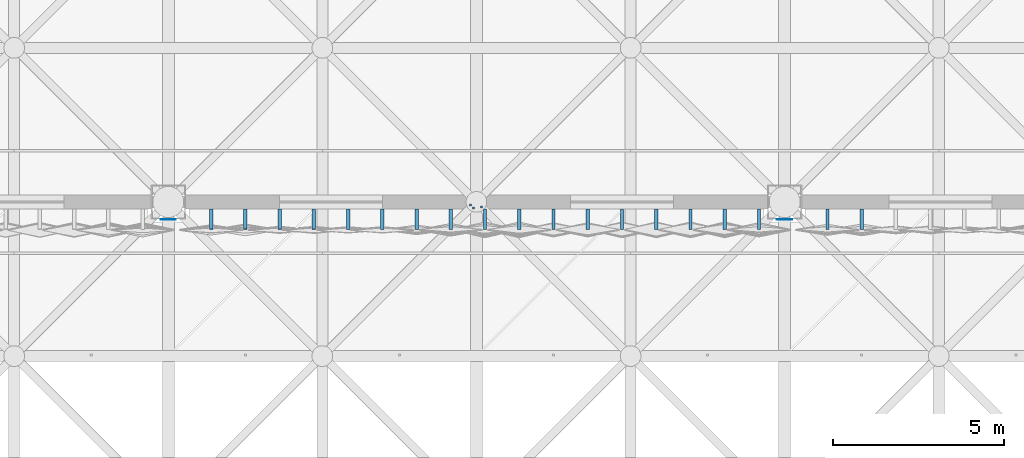
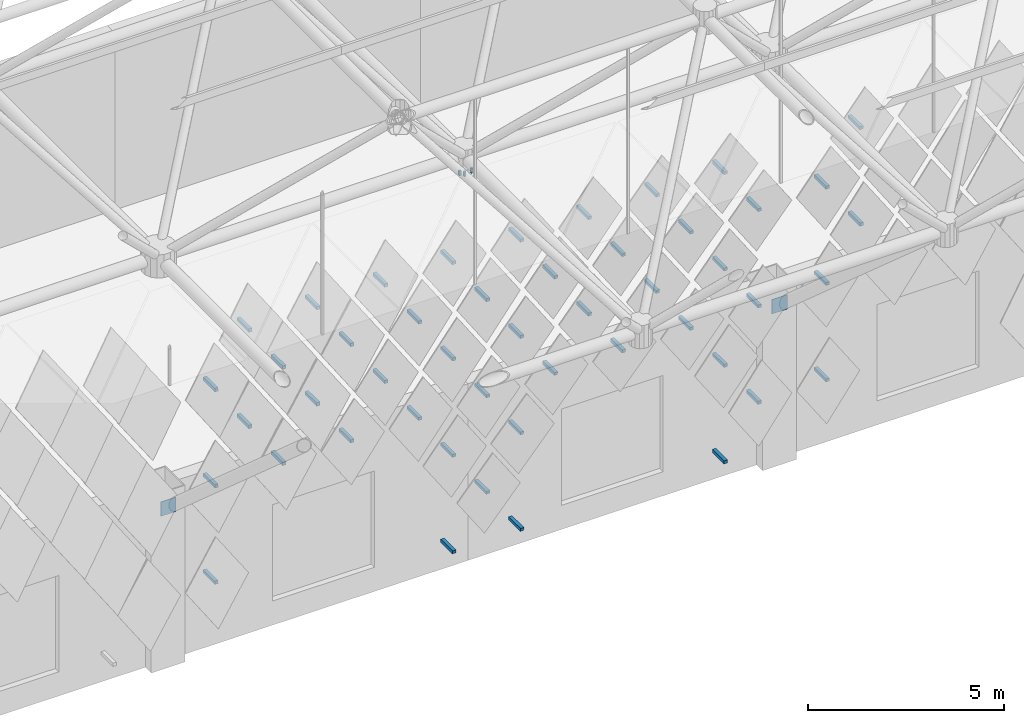
# One storey, part 367 of 437: 53 discrete accessories.
"""IFC4 building model written with IfcOpenShell, lengths in metres."""

import ifcopenshell
import ifcopenshell.guid

model = None  # the IFC model being written
_history = None  # IfcOwnerHistory: only IFC2X3 demands one
_inside = {}  # id of a spatial element -> (the spatial element, [elements in it])
_under = {}  # id of a project, library or spatial element -> (it, [spatial elements below it])
_declared = {}  # id of a project -> (the project, [libraries it declares])
_typed = {}  # id of a type object -> (the type object, [elements of that type])
_made_of = {}  # id of a material, layer set ... -> (it, [elements and type objects made of it])


def new_model(schema):
    """Start an empty IFC model of exactly this schema.

    Asked for "IFC4X3", IfcOpenShell would pick the latest addendum, in which some entities
    have other attributes; the version numbers below select the first issue.
    IFC2X3 requires an IfcOwnerHistory on every rooted entity: one is made here for all.
    """
    global model, _history
    if schema == "IFC4X3":
        model = ifcopenshell.file(schema_version=(4, 3, 0, 0))
    else:
        model = ifcopenshell.file(schema=schema)
    _inside.clear()
    _under.clear()
    _declared.clear()
    _typed.clear()
    _made_of.clear()
    _history = None
    if model.schema == "IFC2X3":
        org = make("IfcOrganization", Name="unknown")
        user = make(
            "IfcPersonAndOrganization",
            ThePerson=make("IfcPerson", FamilyName="unknown"),
            TheOrganization=org,
        )
        app = make(
            "IfcApplication",
            ApplicationDeveloper=org,
            Version="unknown",
            ApplicationFullName="unknown",
            ApplicationIdentifier="unknown",
        )
        _history = make(
            "IfcOwnerHistory",
            OwningUser=user,
            OwningApplication=app,
            ChangeAction="ADDED",
            CreationDate=0,
        )
    return model


def make(cls, **values):
    """One entity of the class cls with the attributes given. An attribute that is None is left unset."""
    return model.create_entity(
        cls, **{name: value for name, value in values.items() if value is not None}
    )


def rooted(cls, **values):
    """An entity with a GlobalId (a new one), such as an element, a storey or a relation."""
    return make(cls, GlobalId=ifcopenshell.guid.new(), OwnerHistory=_history, **values)


def si_unit(unit_type, name, prefix=None):
    """IfcSIUnit, for example si_unit("LENGTHUNIT", "METRE", prefix="MILLI")."""
    return make("IfcSIUnit", UnitType=unit_type, Prefix=prefix, Name=name)


def assignment(units):
    """IfcUnitAssignment: the units of a project."""
    return None if units is None else make("IfcUnitAssignment", Units=units)


def point(xyz):
    """IfcCartesianPoint."""
    return None if xyz is None else make("IfcCartesianPoint", Coordinates=xyz)


def direction(xyz):
    """IfcDirection."""
    return None if xyz is None else make("IfcDirection", DirectionRatios=xyz)


def frame(location, z_axis=None, x_axis=None):
    """IfcAxis2Placement3D, a coordinate frame: its origin and axes. An axis left out is left unset."""
    return make(
        "IfcAxis2Placement3D",
        Location=point(location),
        Axis=direction(z_axis),
        RefDirection=direction(x_axis),
    )


def origin():
    """The frame at (0, 0, 0) with its axes left unset."""
    return frame((0.0, 0.0, 0.0))


def place(relative_to, where):
    """IfcLocalPlacement: puts the frame where relative to a parent placement (None: the world)."""
    return make(
        "IfcLocalPlacement", PlacementRelTo=relative_to, RelativePlacement=where
    )


def context(
    kind, dimensions, precision=None, world=None, true_north=None, identifier=None
):
    """IfcGeometricRepresentationContext, for example the 3D "Model" context."""
    return make(
        "IfcGeometricRepresentationContext",
        ContextIdentifier=identifier,
        ContextType=kind,
        CoordinateSpaceDimension=dimensions,
        Precision=precision,
        WorldCoordinateSystem=world,
        TrueNorth=true_north,
    )


def subcontext(parent, identifier, kind, view, scale=None):
    """IfcGeometricRepresentationSubContext, for example "Body" below "Model"."""
    return make(
        "IfcGeometricRepresentationSubContext",
        ContextIdentifier=identifier,
        ContextType=kind,
        ParentContext=parent,
        TargetScale=scale,
        TargetView=view,
    )


def project(units=None, contexts=None):
    """IfcProject with its units and contexts."""
    return rooted(
        "IfcProject",
        Name="project",
        RepresentationContexts=contexts,
        UnitsInContext=assignment(units),
    )


def spatial(cls, under=None, at=None, **own):
    """A site, building, storey or space (cls), placed at a placement, below another one or the project."""
    s = rooted(cls, ObjectPlacement=at, **own)
    if under is not None:
        _under.setdefault(under.id(), (under, []))[1].append(s)
    return s


def polyline(points):
    """IfcPolyline through the points."""
    return make("IfcPolyline", Points=[point(p) for p in points])


def outline(outer, holes=None, kind="AREA"):
    """IfcArbitraryClosedProfileDef: a profile drawn as a closed curve; with holes, ...WithVoids."""
    if holes is None:
        return make("IfcArbitraryClosedProfileDef", ProfileType=kind, OuterCurve=outer)
    return make(
        "IfcArbitraryProfileDefWithVoids",
        ProfileType=kind,
        OuterCurve=outer,
        InnerCurves=holes,
    )


def extrude(swept, where, along, depth):
    """IfcExtrudedAreaSolid: the profile swept, set in the frame where, extruded along a direction by depth."""
    return make(
        "IfcExtrudedAreaSolid",
        SweptArea=swept,
        Position=where,
        ExtrudedDirection=direction(along),
        Depth=depth,
    )


def shape(context_of_items, identifier, shape_type, items):
    """IfcShapeRepresentation: the items that make up one representation, for example the "Body"."""
    return make(
        "IfcShapeRepresentation",
        ContextOfItems=context_of_items,
        RepresentationIdentifier=identifier,
        RepresentationType=shape_type,
        Items=items,
    )


def material(Name=None, Category=None):
    """IfcMaterial."""
    return make("IfcMaterial", Name=Name, Category=Category)


def layer(
    of_material, thickness, ventilated=None, Name=None, Category=None, Priority=None
):
    """IfcMaterialLayer: one layer of a wall or slab, of a material (None: an air gap)."""
    return make(
        "IfcMaterialLayer",
        Material=of_material,
        LayerThickness=thickness,
        IsVentilated=ventilated,
        Name=Name,
        Category=Category,
        Priority=Priority,
    )


def layer_set(layers, Name=None):
    """IfcMaterialLayerSet."""
    return make("IfcMaterialLayerSet", MaterialLayers=layers, LayerSetName=Name)


def made_of(thing, what):
    """Note that an element or type object is made of a material, layer set ...; save() writes the relation."""
    if what is not None:
        _made_of.setdefault(what.id(), (what, []))[1].append(thing)
    return thing


def type_object(cls, material=None, **own):
    """A type object (cls), such as IfcWallType, which elements share."""
    return made_of(rooted(cls, **own), material)


def element(
    cls,
    number,
    at=None,
    inside=None,
    cuts=None,
    type_object=None,
    material=None,
    context=None,
    identifier="Body",
    shape_type=None,
    held_by="IfcProductDefinitionShape",
    body=None,
    shapes=None,
    **own,
):
    """One element of the class cls, such as IfcWall. Its Tag is "e" and its number.

    at: its placement. inside: the storey or other place that contains it. cuts: it is an
    opening in that element (IfcRelVoidsElement). A single representation is given by context,
    identifier, shape_type and body (its items); several are given by shapes. held_by: the class
    of the entity that holds the representations. save() writes the other relations.
    """
    e = rooted(cls, Tag="e%d" % number, ObjectPlacement=at, **own)
    if body is not None:
        shapes = [shape(context, identifier, shape_type, body)]
    if shapes is not None:
        e.Representation = make(held_by, Representations=shapes)
    if inside is not None:
        _inside.setdefault(inside.id(), (inside, []))[1].append(e)
    if cuts is not None:
        rooted(
            "IfcRelVoidsElement", RelatingBuildingElement=cuts, RelatedOpeningElement=e
        )
    if type_object is not None:
        _typed.setdefault(type_object.id(), (type_object, []))[1].append(e)
    return made_of(e, material)


def aggregate(whole, parts):
    """IfcRelAggregates: a whole, such as a stair, and the parts it consists of."""
    return rooted("IfcRelAggregates", RelatingObject=whole, RelatedObjects=parts)


def save(model, path):
    """Write the relations noted so far, then the file.

    IfcRelAggregates (storeys below a building ...), IfcRelContainedInSpatialStructure (elements
    in a storey), IfcRelDefinesByType, IfcRelAssociatesMaterial and IfcRelDeclares: one each for
    every whole, place, type object, material and project.
    """
    for whole, parts in _under.values():
        aggregate(whole, parts)
    for where, things in _inside.values():
        rooted(
            "IfcRelContainedInSpatialStructure",
            RelatedElements=things,
            RelatingStructure=where,
        )
    for kind, things in _typed.values():
        rooted("IfcRelDefinesByType", RelatedObjects=things, RelatingType=kind)
    for what, things in _made_of.values():
        rooted("IfcRelAssociatesMaterial", RelatedObjects=things, RelatingMaterial=what)
    for by, libraries in _declared.values():
        rooted("IfcRelDeclares", RelatingContext=by, RelatedDefinitions=libraries)
    model.write(path)


model = new_model("IFC4")

# Units and contexts
model_context = context("Model", 3, precision=1e-05, world=origin(), true_north=direction((0.0, 1.0)))
body_context = subcontext(model_context, "Body", "Model", "MODEL_VIEW")
ifc_project = project(units=[si_unit("LENGTHUNIT", "METRE"), si_unit("AREAUNIT", "SQUARE_METRE"), si_unit("VOLUMEUNIT", "CUBIC_METRE"), si_unit("PLANEANGLEUNIT", "RADIAN"), si_unit("MASSUNIT", "GRAM", prefix="KILO")], contexts=[model_context])

# Site, building, storey
site_placement = place(None, origin())
site = spatial("IfcSite", under=ifc_project, at=site_placement, CompositionType="ELEMENT")
building_placement = place(site_placement, origin())
building = spatial("IfcBuilding", under=site, at=building_placement, Name="Opaline Strait Convention Centre", CompositionType="ELEMENT")
storey_placement = place(building_placement, frame((0.0, 0.0, 11.5)))
storey = spatial("IfcBuildingStorey", under=building, at=storey_placement, Name="L02", CompositionType="ELEMENT", Elevation=11.5)

# Discrete accessories
ifc_material_1 = material(Name="Structural steel Q355B", Category="steel")
ifc_layer = layer(ifc_material_1, 0.01611328125)
ifc_layer_set = layer_set([ifc_layer], Name="Structural steel Q355B")
discrete_accessory_type_1 = type_object("IfcDiscreteAccessoryType", Name="Prop bearing plate 450 x 450 x 16", PredefinedType="ANCHORPLATE", material=ifc_layer_set)
discrete_accessory_1_placement = place(storey_placement, frame((0.0, 0.0, 4.7890625)))
element("IfcDiscreteAccessory", 1, at=discrete_accessory_1_placement, inside=storey, type_object=discrete_accessory_type_1, Name="Prop bearing plate 171/54 S", PredefinedType="ANCHORPLATE", context=body_context, shape_type="SweptSolid", body=[
    extrude(outline(polyline([(170.77490234375, 53.48388671875), (171.22509765625, 53.48388671875), (171.22509765625, 53.5), (170.77490234375, 53.5), (170.77490234375, 53.48388671875)])), origin(), (0.0, 0.0, 1.0), 0.449951171875),
])
discrete_accessory_2_placement = place(storey_placement, frame((0.0, 0.0, 4.7890625)))
element("IfcDiscreteAccessory", 2, at=discrete_accessory_2_placement, inside=storey, type_object=discrete_accessory_type_1, Name="Prop bearing plate 189/54 S", PredefinedType="ANCHORPLATE", context=body_context, shape_type="SweptSolid", body=[
    extrude(outline(polyline([(188.77490234375, 53.48388671875), (189.22509765625, 53.48388671875), (189.22509765625, 53.5), (188.77490234375, 53.5), (188.77490234375, 53.48388671875)])), origin(), (0.0, 0.0, 1.0), 0.449951171875),
])
ifc_material_2 = material(Name="Steel Q355B", Category="steel")
discrete_accessory_type_2 = type_object("IfcDiscreteAccessoryType", Name="Soffit hanger 60x60 steel", PredefinedType="BRACKET", material=ifc_material_2)
discrete_accessory_3_placement = place(storey_placement, frame((0.0, 0.0, 11.989990234375)))
element("IfcDiscreteAccessory", 3, at=discrete_accessory_3_placement, inside=storey, type_object=discrete_accessory_type_2, Name="Soffit hanger", PredefinedType="BRACKET", context=body_context, shape_type="SweptSolid", body=[
    extrude(outline(polyline([(179.880859375, 53.791015625), (179.940673828125, 53.791015625), (179.940673828125, 53.85107421875), (179.880859375, 53.85107421875), (179.880859375, 53.791015625)])), origin(), (0.0, 0.0, 1.0), 0.14990234375),
])
discrete_accessory_4_placement = place(storey_placement, frame((0.0, 0.0, 11.989990234375)))
element("IfcDiscreteAccessory", 4, at=discrete_accessory_4_placement, inside=storey, type_object=discrete_accessory_type_2, Name="Soffit hanger", PredefinedType="BRACKET", context=body_context, shape_type="SweptSolid", body=[
    extrude(outline(polyline([(179.791015625, 53.880859375), (179.85107421875, 53.880859375), (179.85107421875, 53.940673828125), (179.791015625, 53.940673828125), (179.791015625, 53.880859375)])), origin(), (0.0, 0.0, 1.0), 0.14990234375),
])
discrete_accessory_5_placement = place(storey_placement, frame((0.0, 0.0, 11.989990234375)))
element("IfcDiscreteAccessory", 5, at=discrete_accessory_5_placement, inside=storey, type_object=discrete_accessory_type_2, Name="Soffit hanger", PredefinedType="BRACKET", context=body_context, shape_type="SweptSolid", body=[
    extrude(outline(polyline([(180.111328125, 53.82861328125), (180.17138671875, 53.82861328125), (180.17138671875, 53.888671875), (180.111328125, 53.888671875), (180.111328125, 53.82861328125)])), origin(), (0.0, 0.0, 1.0), 0.14990234375),
])
discrete_accessory_type_3 = type_object("IfcDiscreteAccessoryType", Name="Tile bracket 100x100 steel", PredefinedType="BRACKET", material=ifc_material_2)
for number, where, z_axis, x_axis, name in (
    (6, (179.199951171875, 53.800048828125, 0.89208984375), (1.0, 0.0, 0.0), (0.0, 1.0, 0.0), "Tile bracket XT17 S"),
    (7, (181.199951171875, 53.800048828125, 0.89208984375), (1.0, 0.0, 0.0), (0.0, 1.0, 0.0), "Tile bracket XT17 S"),
):
    element("IfcDiscreteAccessory", number, at=place(storey_placement, frame(where, z_axis=z_axis, x_axis=x_axis)), inside=storey, type_object=discrete_accessory_type_3, Name=name, PredefinedType="BRACKET", context=body_context, shape_type="SweptSolid", body=[
        extrude(outline(polyline([(0.0, -0.050048828125), (0.0, 0.050048828125), (-0.607421875, 0.050048828125), (-0.592529296875, -0.050048828125), (0.0, -0.050048828125)])), origin(), (0.0, 0.0, 1.0), 0.10009765625),
    ])
discrete_accessory_6_placement = place(storey_placement, frame((187.199951171875, 53.800048828125, 0.89208984375), z_axis=(1.0, 0.0, 0.0), x_axis=(0.0, 1.0, 0.0)))
element("IfcDiscreteAccessory", 8, at=discrete_accessory_6_placement, inside=storey, type_object=discrete_accessory_type_3, Name="Tile bracket XT06 S", PredefinedType="BRACKET", context=body_context, shape_type="SweptSolid", body=[
    extrude(outline(polyline([(0.0, -0.050048828125), (0.0, 0.050048828125), (-0.6025390625, 0.050048828125), (-0.597412109375, -0.050048828125), (0.0, -0.050048828125)])), origin(), (0.0, 0.0, 1.0), 0.10009765625),
])
discrete_accessory_7_placement = place(storey_placement, frame((172.199951171875, 53.800048828125, 2.39208984375), z_axis=(1.0, 0.0, 0.0), x_axis=(0.0, 1.0, 0.0)))
element("IfcDiscreteAccessory", 9, at=discrete_accessory_7_placement, inside=storey, type_object=discrete_accessory_type_3, Name="Tile bracket XT06 S", PredefinedType="BRACKET", context=body_context, shape_type="SweptSolid", body=[
    extrude(outline(polyline([(0.0, -0.050048828125), (0.0, 0.050048828125), (-0.597412109375, 0.050048828125), (-0.6025390625, -0.050048828125), (0.0, -0.050048828125)])), origin(), (0.0, 0.0, 1.0), 0.10009765625),
])
discrete_accessory_8_placement = place(storey_placement, frame((180.199951171875, 53.800048828125, 2.39208984375), z_axis=(1.0, 0.0, 0.0), x_axis=(0.0, 1.0, 0.0)))
element("IfcDiscreteAccessory", 10, at=discrete_accessory_8_placement, inside=storey, type_object=discrete_accessory_type_3, Name="Tile bracket XT17 S", PredefinedType="BRACKET", context=body_context, shape_type="SweptSolid", body=[
    extrude(outline(polyline([(0.0, -0.050048828125), (0.0, 0.050048828125), (-0.607421875, 0.050048828125), (-0.592529296875, -0.050048828125), (0.0, -0.050048828125)])), origin(), (0.0, 0.0, 1.0), 0.10009765625),
])
for number, where, z_axis, x_axis, name in (
    (11, (188.199951171875, 53.800048828125, 2.39208984375), (1.0, 0.0, 0.0), (0.0, 1.0, 0.0), "Tile bracket XT06 S"),
    (12, (190.199951171875, 53.800048828125, 2.39208984375), (1.0, 0.0, 0.0), (0.0, 1.0, 0.0), "Tile bracket XT06 S"),
):
    element("IfcDiscreteAccessory", number, at=place(storey_placement, frame(where, z_axis=z_axis, x_axis=x_axis)), inside=storey, type_object=discrete_accessory_type_3, Name=name, PredefinedType="BRACKET", context=body_context, shape_type="SweptSolid", body=[
        extrude(outline(polyline([(0.0, -0.050048828125), (0.0, 0.050048828125), (-0.6025390625, 0.050048828125), (-0.597412109375, -0.050048828125), (0.0, -0.050048828125)])), origin(), (0.0, 0.0, 1.0), 0.10009765625),
    ])
discrete_accessory_9_placement = place(storey_placement, frame((179.199951171875, 53.800048828125, 3.89208984375), z_axis=(1.0, 0.0, 0.0), x_axis=(0.0, 1.0, 0.0)))
element("IfcDiscreteAccessory", 13, at=discrete_accessory_9_placement, inside=storey, type_object=discrete_accessory_type_3, Name="Tile bracket XT14 S", PredefinedType="BRACKET", context=body_context, shape_type="SweptSolid", body=[
    extrude(outline(polyline([(0.0, -0.050048828125), (0.0, 0.050048828125), (-0.606201171875, 0.050048828125), (-0.59375, -0.050048828125), (0.0, -0.050048828125)])), origin(), (0.0, 0.0, 1.0), 0.10009765625),
])
discrete_accessory_10_placement = place(storey_placement, frame((181.199951171875, 53.800048828125, 3.89208984375), z_axis=(1.0, 0.0, 0.0), x_axis=(0.0, 1.0, 0.0)))
element("IfcDiscreteAccessory", 14, at=discrete_accessory_10_placement, inside=storey, type_object=discrete_accessory_type_3, Name="Tile bracket XT17 S", PredefinedType="BRACKET", context=body_context, shape_type="SweptSolid", body=[
    extrude(outline(polyline([(0.0, -0.050048828125), (0.0, 0.050048828125), (-0.607421875, 0.050048828125), (-0.592529296875, -0.050048828125), (0.0, -0.050048828125)])), origin(), (0.0, 0.0, 1.0), 0.10009765625),
])
discrete_accessory_11_placement = place(storey_placement, frame((187.199951171875, 53.800048828125, 3.89208984375), z_axis=(1.0, 0.0, 0.0), x_axis=(0.0, 1.0, 0.0)))
element("IfcDiscreteAccessory", 15, at=discrete_accessory_11_placement, inside=storey, type_object=discrete_accessory_type_3, Name="Tile bracket XT12 S", PredefinedType="BRACKET", context=body_context, shape_type="SweptSolid", body=[
    extrude(outline(polyline([(0.0, -0.050048828125), (0.0, 0.050048828125), (-0.605224609375, 0.050048828125), (-0.5947265625, -0.050048828125), (0.0, -0.050048828125)])), origin(), (0.0, 0.0, 1.0), 0.10009765625),
])
discrete_accessory_12_placement = place(storey_placement, frame((172.199951171875, 53.800048828125, 5.39208984375), z_axis=(1.0, 0.0, 0.0), x_axis=(0.0, 1.0, 0.0)))
element("IfcDiscreteAccessory", 16, at=discrete_accessory_12_placement, inside=storey, type_object=discrete_accessory_type_3, Name="Tile bracket XT07 S", PredefinedType="BRACKET", context=body_context, shape_type="SweptSolid", body=[
    extrude(outline(polyline([(0.0, -0.050048828125), (0.0, 0.050048828125), (-0.596923828125, 0.050048828125), (-0.60302734375, -0.050048828125), (0.0, -0.050048828125)])), origin(), (0.0, 0.0, 1.0), 0.10009765625),
])
discrete_accessory_13_placement = place(storey_placement, frame((174.199951171875, 53.800048828125, 5.39208984375), z_axis=(1.0, 0.0, 0.0), x_axis=(0.0, 1.0, 0.0)))
element("IfcDiscreteAccessory", 17, at=discrete_accessory_13_placement, inside=storey, type_object=discrete_accessory_type_3, Name="Tile bracket XT06 S", PredefinedType="BRACKET", context=body_context, shape_type="SweptSolid", body=[
    extrude(outline(polyline([(0.0, -0.050048828125), (0.0, 0.050048828125), (-0.597412109375, 0.050048828125), (-0.6025390625, -0.050048828125), (0.0, -0.050048828125)])), origin(), (0.0, 0.0, 1.0), 0.10009765625),
])
discrete_accessory_14_placement = place(storey_placement, frame((176.199951171875, 53.800048828125, 5.39208984375), z_axis=(1.0, 0.0, 0.0), x_axis=(0.0, 1.0, 0.0)))
element("IfcDiscreteAccessory", 18, at=discrete_accessory_14_placement, inside=storey, type_object=discrete_accessory_type_3, Name="Tile bracket XT06 S", PredefinedType="BRACKET", context=body_context, shape_type="SweptSolid", body=[
    extrude(outline(polyline([(0.0, -0.050048828125), (0.0, 0.050048828125), (-0.6025390625, 0.050048828125), (-0.597412109375, -0.050048828125), (0.0, -0.050048828125)])), origin(), (0.0, 0.0, 1.0), 0.10009765625),
])
discrete_accessory_15_placement = place(storey_placement, frame((178.199951171875, 53.800048828125, 5.39208984375), z_axis=(1.0, 0.0, 0.0), x_axis=(0.0, 1.0, 0.0)))
element("IfcDiscreteAccessory", 19, at=discrete_accessory_15_placement, inside=storey, type_object=discrete_accessory_type_3, Name="Tile bracket XT10 S", PredefinedType="BRACKET", context=body_context, shape_type="SweptSolid", body=[
    extrude(outline(polyline([(0.0, -0.050048828125), (0.0, 0.050048828125), (-0.604248046875, 0.050048828125), (-0.595703125, -0.050048828125), (0.0, -0.050048828125)])), origin(), (0.0, 0.0, 1.0), 0.10009765625),
])
discrete_accessory_16_placement = place(storey_placement, frame((180.199951171875, 53.800048828125, 5.39208984375), z_axis=(1.0, 0.0, 0.0), x_axis=(0.0, 1.0, 0.0)))
element("IfcDiscreteAccessory", 20, at=discrete_accessory_16_placement, inside=storey, type_object=discrete_accessory_type_3, Name="Tile bracket XT14 S", PredefinedType="BRACKET", context=body_context, shape_type="SweptSolid", body=[
    extrude(outline(polyline([(0.0, -0.050048828125), (0.0, 0.050048828125), (-0.606201171875, 0.050048828125), (-0.59375, -0.050048828125), (0.0, -0.050048828125)])), origin(), (0.0, 0.0, 1.0), 0.10009765625),
])
discrete_accessory_17_placement = place(storey_placement, frame((182.199951171875, 53.800048828125, 5.39208984375), z_axis=(1.0, 0.0, 0.0), x_axis=(0.0, 1.0, 0.0)))
element("IfcDiscreteAccessory", 21, at=discrete_accessory_17_placement, inside=storey, type_object=discrete_accessory_type_3, Name="Tile bracket XT16 S", PredefinedType="BRACKET", context=body_context, shape_type="SweptSolid", body=[
    extrude(outline(polyline([(0.0, -0.050048828125), (0.0, 0.050048828125), (-0.60693359375, 0.050048828125), (-0.593017578125, -0.050048828125), (0.0, -0.050048828125)])), origin(), (0.0, 0.0, 1.0), 0.10009765625),
])
discrete_accessory_18_placement = place(storey_placement, frame((184.199951171875, 53.800048828125, 5.39208984375), z_axis=(1.0, 0.0, 0.0), x_axis=(0.0, 1.0, 0.0)))
element("IfcDiscreteAccessory", 22, at=discrete_accessory_18_placement, inside=storey, type_object=discrete_accessory_type_3, Name="Tile bracket XT17 S", PredefinedType="BRACKET", context=body_context, shape_type="SweptSolid", body=[
    extrude(outline(polyline([(0.0, -0.050048828125), (0.0, 0.050048828125), (-0.607421875, 0.050048828125), (-0.592529296875, -0.050048828125), (0.0, -0.050048828125)])), origin(), (0.0, 0.0, 1.0), 0.10009765625),
])
discrete_accessory_19_placement = place(storey_placement, frame((186.199951171875, 53.800048828125, 5.39208984375), z_axis=(1.0, 0.0, 0.0), x_axis=(0.0, 1.0, 0.0)))
element("IfcDiscreteAccessory", 23, at=discrete_accessory_19_placement, inside=storey, type_object=discrete_accessory_type_3, Name="Tile bracket XT15 S", PredefinedType="BRACKET", context=body_context, shape_type="SweptSolid", body=[
    extrude(outline(polyline([(0.0, -0.050048828125), (0.0, 0.050048828125), (-0.606689453125, 0.050048828125), (-0.593505859375, -0.050048828125), (0.0, -0.050048828125)])), origin(), (0.0, 0.0, 1.0), 0.10009765625),
])
discrete_accessory_20_placement = place(storey_placement, frame((188.199951171875, 53.800048828125, 5.39208984375), z_axis=(1.0, 0.0, 0.0), x_axis=(0.0, 1.0, 0.0)))
element("IfcDiscreteAccessory", 24, at=discrete_accessory_20_placement, inside=storey, type_object=discrete_accessory_type_3, Name="Tile bracket XT12 S", PredefinedType="BRACKET", context=body_context, shape_type="SweptSolid", body=[
    extrude(outline(polyline([(0.0, -0.050048828125), (0.0, 0.050048828125), (-0.605224609375, 0.050048828125), (-0.5947265625, -0.050048828125), (0.0, -0.050048828125)])), origin(), (0.0, 0.0, 1.0), 0.10009765625),
])
discrete_accessory_21_placement = place(storey_placement, frame((190.199951171875, 53.800048828125, 5.39208984375), z_axis=(1.0, 0.0, 0.0), x_axis=(0.0, 1.0, 0.0)))
element("IfcDiscreteAccessory", 25, at=discrete_accessory_21_placement, inside=storey, type_object=discrete_accessory_type_3, Name="Tile bracket XT07 S", PredefinedType="BRACKET", context=body_context, shape_type="SweptSolid", body=[
    extrude(outline(polyline([(0.0, -0.050048828125), (0.0, 0.050048828125), (-0.60302734375, 0.050048828125), (-0.596923828125, -0.050048828125), (0.0, -0.050048828125)])), origin(), (0.0, 0.0, 1.0), 0.10009765625),
])
discrete_accessory_22_placement = place(storey_placement, frame((173.199951171875, 53.800048828125, 6.89208984375), z_axis=(1.0, 0.0, 0.0), x_axis=(0.0, 1.0, 0.0)))
element("IfcDiscreteAccessory", 26, at=discrete_accessory_22_placement, inside=storey, type_object=discrete_accessory_type_3, Name="Tile bracket XT07 S", PredefinedType="BRACKET", context=body_context, shape_type="SweptSolid", body=[
    extrude(outline(polyline([(0.0, -0.050048828125), (0.0, 0.050048828125), (-0.596923828125, 0.050048828125), (-0.60302734375, -0.050048828125), (0.0, -0.050048828125)])), origin(), (0.0, 0.0, 1.0), 0.10009765625),
])
discrete_accessory_23_placement = place(storey_placement, frame((175.199951171875, 53.800048828125, 6.89208984375), z_axis=(1.0, 0.0, 0.0), x_axis=(0.0, 1.0, 0.0)))
element("IfcDiscreteAccessory", 27, at=discrete_accessory_23_placement, inside=storey, type_object=discrete_accessory_type_3, Name="Tile bracket XT06 S", PredefinedType="BRACKET", context=body_context, shape_type="SweptSolid", body=[
    extrude(outline(polyline([(0.0, -0.050048828125), (0.0, 0.050048828125), (-0.597412109375, 0.050048828125), (-0.6025390625, -0.050048828125), (0.0, -0.050048828125)])), origin(), (0.0, 0.0, 1.0), 0.10009765625),
])
discrete_accessory_24_placement = place(storey_placement, frame((177.199951171875, 53.800048828125, 6.89208984375), z_axis=(1.0, 0.0, 0.0), x_axis=(0.0, 1.0, 0.0)))
element("IfcDiscreteAccessory", 28, at=discrete_accessory_24_placement, inside=storey, type_object=discrete_accessory_type_3, Name="Tile bracket XT06 S", PredefinedType="BRACKET", context=body_context, shape_type="SweptSolid", body=[
    extrude(outline(polyline([(0.0, -0.050048828125), (0.0, 0.050048828125), (-0.6025390625, 0.050048828125), (-0.597412109375, -0.050048828125), (0.0, -0.050048828125)])), origin(), (0.0, 0.0, 1.0), 0.10009765625),
])
discrete_accessory_25_placement = place(storey_placement, frame((179.199951171875, 53.800048828125, 6.89208984375), z_axis=(1.0, 0.0, 0.0), x_axis=(0.0, 1.0, 0.0)))
element("IfcDiscreteAccessory", 29, at=discrete_accessory_25_placement, inside=storey, type_object=discrete_accessory_type_3, Name="Tile bracket XT10 S", PredefinedType="BRACKET", context=body_context, shape_type="SweptSolid", body=[
    extrude(outline(polyline([(0.0, -0.050048828125), (0.0, 0.050048828125), (-0.604248046875, 0.050048828125), (-0.595703125, -0.050048828125), (0.0, -0.050048828125)])), origin(), (0.0, 0.0, 1.0), 0.10009765625),
])
discrete_accessory_26_placement = place(storey_placement, frame((181.199951171875, 53.800048828125, 6.89208984375), z_axis=(1.0, 0.0, 0.0), x_axis=(0.0, 1.0, 0.0)))
element("IfcDiscreteAccessory", 30, at=discrete_accessory_26_placement, inside=storey, type_object=discrete_accessory_type_3, Name="Tile bracket XT14 S", PredefinedType="BRACKET", context=body_context, shape_type="SweptSolid", body=[
    extrude(outline(polyline([(0.0, -0.050048828125), (0.0, 0.050048828125), (-0.606201171875, 0.050048828125), (-0.59375, -0.050048828125), (0.0, -0.050048828125)])), origin(), (0.0, 0.0, 1.0), 0.10009765625),
])
discrete_accessory_27_placement = place(storey_placement, frame((183.199951171875, 53.800048828125, 6.89208984375), z_axis=(1.0, 0.0, 0.0), x_axis=(0.0, 1.0, 0.0)))
element("IfcDiscreteAccessory", 31, at=discrete_accessory_27_placement, inside=storey, type_object=discrete_accessory_type_3, Name="Tile bracket XT16 S", PredefinedType="BRACKET", context=body_context, shape_type="SweptSolid", body=[
    extrude(outline(polyline([(0.0, -0.050048828125), (0.0, 0.050048828125), (-0.60693359375, 0.050048828125), (-0.593017578125, -0.050048828125), (0.0, -0.050048828125)])), origin(), (0.0, 0.0, 1.0), 0.10009765625),
])
discrete_accessory_28_placement = place(storey_placement, frame((185.199951171875, 53.800048828125, 6.89208984375), z_axis=(1.0, 0.0, 0.0), x_axis=(0.0, 1.0, 0.0)))
element("IfcDiscreteAccessory", 32, at=discrete_accessory_28_placement, inside=storey, type_object=discrete_accessory_type_3, Name="Tile bracket XT17 S", PredefinedType="BRACKET", context=body_context, shape_type="SweptSolid", body=[
    extrude(outline(polyline([(0.0, -0.050048828125), (0.0, 0.050048828125), (-0.607421875, 0.050048828125), (-0.592529296875, -0.050048828125), (0.0, -0.050048828125)])), origin(), (0.0, 0.0, 1.0), 0.10009765625),
])
discrete_accessory_29_placement = place(storey_placement, frame((187.199951171875, 53.800048828125, 6.89208984375), z_axis=(1.0, 0.0, 0.0), x_axis=(0.0, 1.0, 0.0)))
element("IfcDiscreteAccessory", 33, at=discrete_accessory_29_placement, inside=storey, type_object=discrete_accessory_type_3, Name="Tile bracket XT15 S", PredefinedType="BRACKET", context=body_context, shape_type="SweptSolid", body=[
    extrude(outline(polyline([(0.0, -0.050048828125), (0.0, 0.050048828125), (-0.606689453125, 0.050048828125), (-0.593505859375, -0.050048828125), (0.0, -0.050048828125)])), origin(), (0.0, 0.0, 1.0), 0.10009765625),
])
discrete_accessory_30_placement = place(storey_placement, frame((191.199951171875, 53.800048828125, 6.89208984375), z_axis=(1.0, 0.0, 0.0), x_axis=(0.0, 1.0, 0.0)))
element("IfcDiscreteAccessory", 34, at=discrete_accessory_30_placement, inside=storey, type_object=discrete_accessory_type_3, Name="Tile bracket XT07 S", PredefinedType="BRACKET", context=body_context, shape_type="SweptSolid", body=[
    extrude(outline(polyline([(0.0, -0.050048828125), (0.0, 0.050048828125), (-0.60302734375, 0.050048828125), (-0.596923828125, -0.050048828125), (0.0, -0.050048828125)])), origin(), (0.0, 0.0, 1.0), 0.10009765625),
])
discrete_accessory_31_placement = place(storey_placement, frame((172.199951171875, 53.800048828125, 8.39208984375), z_axis=(1.0, 0.0, 0.0), x_axis=(0.0, 1.0, 0.0)))
element("IfcDiscreteAccessory", 35, at=discrete_accessory_31_placement, inside=storey, type_object=discrete_accessory_type_3, Name="Tile bracket XT12 S", PredefinedType="BRACKET", context=body_context, shape_type="SweptSolid", body=[
    extrude(outline(polyline([(0.0, -0.050048828125), (0.0, 0.050048828125), (-0.5947265625, 0.050048828125), (-0.605224609375, -0.050048828125), (0.0, -0.050048828125)])), origin(), (0.0, 0.0, 1.0), 0.10009765625),
])
discrete_accessory_32_placement = place(storey_placement, frame((174.199951171875, 53.800048828125, 8.39208984375), z_axis=(1.0, 0.0, 0.0), x_axis=(0.0, 1.0, 0.0)))
element("IfcDiscreteAccessory", 36, at=discrete_accessory_32_placement, inside=storey, type_object=discrete_accessory_type_3, Name="Tile bracket XT08 S", PredefinedType="BRACKET", context=body_context, shape_type="SweptSolid", body=[
    extrude(outline(polyline([(0.0, -0.050048828125), (0.0, 0.050048828125), (-0.596435546875, 0.050048828125), (-0.603515625, -0.050048828125), (0.0, -0.050048828125)])), origin(), (0.0, 0.0, 1.0), 0.10009765625),
])
discrete_accessory_33_placement = place(storey_placement, frame((176.199951171875, 53.800048828125, 8.39208984375), z_axis=(1.0, 0.0, 0.0), x_axis=(0.0, 1.0, 0.0)))
element("IfcDiscreteAccessory", 37, at=discrete_accessory_33_placement, inside=storey, type_object=discrete_accessory_type_3, Name="Tile bracket XT06 S", PredefinedType="BRACKET", context=body_context, shape_type="SweptSolid", body=[
    extrude(outline(polyline([(0.0, -0.050048828125), (0.0, 0.050048828125), (-0.597412109375, 0.050048828125), (-0.6025390625, -0.050048828125), (0.0, -0.050048828125)])), origin(), (0.0, 0.0, 1.0), 0.10009765625),
])
discrete_accessory_34_placement = place(storey_placement, frame((178.199951171875, 53.800048828125, 8.39208984375), z_axis=(1.0, 0.0, 0.0), x_axis=(0.0, 1.0, 0.0)))
element("IfcDiscreteAccessory", 38, at=discrete_accessory_34_placement, inside=storey, type_object=discrete_accessory_type_3, Name="Tile bracket XT06 S", PredefinedType="BRACKET", context=body_context, shape_type="SweptSolid", body=[
    extrude(outline(polyline([(0.0, -0.050048828125), (0.0, 0.050048828125), (-0.6025390625, 0.050048828125), (-0.597412109375, -0.050048828125), (0.0, -0.050048828125)])), origin(), (0.0, 0.0, 1.0), 0.10009765625),
])
discrete_accessory_35_placement = place(storey_placement, frame((180.199951171875, 53.800048828125, 8.39208984375), z_axis=(1.0, 0.0, 0.0), x_axis=(0.0, 1.0, 0.0)))
element("IfcDiscreteAccessory", 39, at=discrete_accessory_35_placement, inside=storey, type_object=discrete_accessory_type_3, Name="Tile bracket XT09 S", PredefinedType="BRACKET", context=body_context, shape_type="SweptSolid", body=[
    extrude(outline(polyline([(0.0, -0.050048828125), (0.0, 0.050048828125), (-0.60400390625, 0.050048828125), (-0.595947265625, -0.050048828125), (0.0, -0.050048828125)])), origin(), (0.0, 0.0, 1.0), 0.10009765625),
])
discrete_accessory_36_placement = place(storey_placement, frame((182.199951171875, 53.800048828125, 8.39208984375), z_axis=(1.0, 0.0, 0.0), x_axis=(0.0, 1.0, 0.0)))
element("IfcDiscreteAccessory", 40, at=discrete_accessory_36_placement, inside=storey, type_object=discrete_accessory_type_3, Name="Tile bracket XT14 S", PredefinedType="BRACKET", context=body_context, shape_type="SweptSolid", body=[
    extrude(outline(polyline([(0.0, -0.050048828125), (0.0, 0.050048828125), (-0.606201171875, 0.050048828125), (-0.59375, -0.050048828125), (0.0, -0.050048828125)])), origin(), (0.0, 0.0, 1.0), 0.10009765625),
])
discrete_accessory_37_placement = place(storey_placement, frame((184.199951171875, 53.800048828125, 8.39208984375), z_axis=(1.0, 0.0, 0.0), x_axis=(0.0, 1.0, 0.0)))
element("IfcDiscreteAccessory", 41, at=discrete_accessory_37_placement, inside=storey, type_object=discrete_accessory_type_3, Name="Tile bracket XT16 S", PredefinedType="BRACKET", context=body_context, shape_type="SweptSolid", body=[
    extrude(outline(polyline([(0.0, -0.050048828125), (0.0, 0.050048828125), (-0.60693359375, 0.050048828125), (-0.593017578125, -0.050048828125), (0.0, -0.050048828125)])), origin(), (0.0, 0.0, 1.0), 0.10009765625),
])
discrete_accessory_38_placement = place(storey_placement, frame((186.199951171875, 53.800048828125, 8.39208984375), z_axis=(1.0, 0.0, 0.0), x_axis=(0.0, 1.0, 0.0)))
element("IfcDiscreteAccessory", 42, at=discrete_accessory_38_placement, inside=storey, type_object=discrete_accessory_type_3, Name="Tile bracket XT17 S", PredefinedType="BRACKET", context=body_context, shape_type="SweptSolid", body=[
    extrude(outline(polyline([(0.0, -0.050048828125), (0.0, 0.050048828125), (-0.607421875, 0.050048828125), (-0.592529296875, -0.050048828125), (0.0, -0.050048828125)])), origin(), (0.0, 0.0, 1.0), 0.10009765625),
])
discrete_accessory_39_placement = place(storey_placement, frame((188.199951171875, 53.800048828125, 8.39208984375), z_axis=(1.0, 0.0, 0.0), x_axis=(0.0, 1.0, 0.0)))
element("IfcDiscreteAccessory", 43, at=discrete_accessory_39_placement, inside=storey, type_object=discrete_accessory_type_3, Name="Tile bracket XT16 S", PredefinedType="BRACKET", context=body_context, shape_type="SweptSolid", body=[
    extrude(outline(polyline([(0.0, -0.050048828125), (0.0, 0.050048828125), (-0.60693359375, 0.050048828125), (-0.593017578125, -0.050048828125), (0.0, -0.050048828125)])), origin(), (0.0, 0.0, 1.0), 0.10009765625),
])
discrete_accessory_40_placement = place(storey_placement, frame((190.199951171875, 53.800048828125, 8.39208984375), z_axis=(1.0, 0.0, 0.0), x_axis=(0.0, 1.0, 0.0)))
element("IfcDiscreteAccessory", 44, at=discrete_accessory_40_placement, inside=storey, type_object=discrete_accessory_type_3, Name="Tile bracket XT12 S", PredefinedType="BRACKET", context=body_context, shape_type="SweptSolid", body=[
    extrude(outline(polyline([(0.0, -0.050048828125), (0.0, 0.050048828125), (-0.605224609375, 0.050048828125), (-0.5947265625, -0.050048828125), (0.0, -0.050048828125)])), origin(), (0.0, 0.0, 1.0), 0.10009765625),
])
discrete_accessory_41_placement = place(storey_placement, frame((173.199951171875, 53.800048828125, 9.89208984375), z_axis=(1.0, 0.0, 0.0), x_axis=(0.0, 1.0, 0.0)))
element("IfcDiscreteAccessory", 45, at=discrete_accessory_41_placement, inside=storey, type_object=discrete_accessory_type_3, Name="Tile bracket XT13 S", PredefinedType="BRACKET", context=body_context, shape_type="SweptSolid", body=[
    extrude(outline(polyline([(0.0, -0.050048828125), (0.0, 0.050048828125), (-0.59423828125, 0.050048828125), (-0.605712890625, -0.050048828125), (0.0, -0.050048828125)])), origin(), (0.0, 0.0, 1.0), 0.10009765625),
])
discrete_accessory_42_placement = place(storey_placement, frame((175.199951171875, 53.800048828125, 9.89208984375), z_axis=(1.0, 0.0, 0.0), x_axis=(0.0, 1.0, 0.0)))
element("IfcDiscreteAccessory", 46, at=discrete_accessory_42_placement, inside=storey, type_object=discrete_accessory_type_3, Name="Tile bracket XT08 S", PredefinedType="BRACKET", context=body_context, shape_type="SweptSolid", body=[
    extrude(outline(polyline([(0.0, -0.050048828125), (0.0, 0.050048828125), (-0.596435546875, 0.050048828125), (-0.603515625, -0.050048828125), (0.0, -0.050048828125)])), origin(), (0.0, 0.0, 1.0), 0.10009765625),
])
discrete_accessory_43_placement = place(storey_placement, frame((177.199951171875, 53.800048828125, 9.89208984375), z_axis=(1.0, 0.0, 0.0), x_axis=(0.0, 1.0, 0.0)))
element("IfcDiscreteAccessory", 47, at=discrete_accessory_43_placement, inside=storey, type_object=discrete_accessory_type_3, Name="Tile bracket XT06 S", PredefinedType="BRACKET", context=body_context, shape_type="SweptSolid", body=[
    extrude(outline(polyline([(0.0, -0.050048828125), (0.0, 0.050048828125), (-0.597412109375, 0.050048828125), (-0.6025390625, -0.050048828125), (0.0, -0.050048828125)])), origin(), (0.0, 0.0, 1.0), 0.10009765625),
])
discrete_accessory_44_placement = place(storey_placement, frame((179.199951171875, 53.800048828125, 9.89208984375), z_axis=(1.0, 0.0, 0.0), x_axis=(0.0, 1.0, 0.0)))
element("IfcDiscreteAccessory", 48, at=discrete_accessory_44_placement, inside=storey, type_object=discrete_accessory_type_3, Name="Tile bracket XT06 S", PredefinedType="BRACKET", context=body_context, shape_type="SweptSolid", body=[
    extrude(outline(polyline([(0.0, -0.050048828125), (0.0, 0.050048828125), (-0.6025390625, 0.050048828125), (-0.597412109375, -0.050048828125), (0.0, -0.050048828125)])), origin(), (0.0, 0.0, 1.0), 0.10009765625),
])
discrete_accessory_45_placement = place(storey_placement, frame((181.199951171875, 53.800048828125, 9.89208984375), z_axis=(1.0, 0.0, 0.0), x_axis=(0.0, 1.0, 0.0)))
element("IfcDiscreteAccessory", 49, at=discrete_accessory_45_placement, inside=storey, type_object=discrete_accessory_type_3, Name="Tile bracket XT09 S", PredefinedType="BRACKET", context=body_context, shape_type="SweptSolid", body=[
    extrude(outline(polyline([(0.0, -0.050048828125), (0.0, 0.050048828125), (-0.60400390625, 0.050048828125), (-0.595947265625, -0.050048828125), (0.0, -0.050048828125)])), origin(), (0.0, 0.0, 1.0), 0.10009765625),
])
discrete_accessory_46_placement = place(storey_placement, frame((183.199951171875, 53.800048828125, 9.89208984375), z_axis=(1.0, 0.0, 0.0), x_axis=(0.0, 1.0, 0.0)))
element("IfcDiscreteAccessory", 50, at=discrete_accessory_46_placement, inside=storey, type_object=discrete_accessory_type_3, Name="Tile bracket XT13 S", PredefinedType="BRACKET", context=body_context, shape_type="SweptSolid", body=[
    extrude(outline(polyline([(0.0, -0.050048828125), (0.0, 0.050048828125), (-0.605712890625, 0.050048828125), (-0.59423828125, -0.050048828125), (0.0, -0.050048828125)])), origin(), (0.0, 0.0, 1.0), 0.10009765625),
])
discrete_accessory_47_placement = place(storey_placement, frame((185.199951171875, 53.800048828125, 9.89208984375), z_axis=(1.0, 0.0, 0.0), x_axis=(0.0, 1.0, 0.0)))
element("IfcDiscreteAccessory", 51, at=discrete_accessory_47_placement, inside=storey, type_object=discrete_accessory_type_3, Name="Tile bracket XT16 S", PredefinedType="BRACKET", context=body_context, shape_type="SweptSolid", body=[
    extrude(outline(polyline([(0.0, -0.050048828125), (0.0, 0.050048828125), (-0.60693359375, 0.050048828125), (-0.593017578125, -0.050048828125), (0.0, -0.050048828125)])), origin(), (0.0, 0.0, 1.0), 0.10009765625),
])
discrete_accessory_48_placement = place(storey_placement, frame((187.199951171875, 53.800048828125, 9.89208984375), z_axis=(1.0, 0.0, 0.0), x_axis=(0.0, 1.0, 0.0)))
element("IfcDiscreteAccessory", 52, at=discrete_accessory_48_placement, inside=storey, type_object=discrete_accessory_type_3, Name="Tile bracket XT17 S", PredefinedType="BRACKET", context=body_context, shape_type="SweptSolid", body=[
    extrude(outline(polyline([(0.0, -0.050048828125), (0.0, 0.050048828125), (-0.607421875, 0.050048828125), (-0.592529296875, -0.050048828125), (0.0, -0.050048828125)])), origin(), (0.0, 0.0, 1.0), 0.10009765625),
])
discrete_accessory_49_placement = place(storey_placement, frame((191.199951171875, 53.800048828125, 9.89208984375), z_axis=(1.0, 0.0, 0.0), x_axis=(0.0, 1.0, 0.0)))
element("IfcDiscreteAccessory", 53, at=discrete_accessory_49_placement, inside=storey, type_object=discrete_accessory_type_3, Name="Tile bracket XT13 S", PredefinedType="BRACKET", context=body_context, shape_type="SweptSolid", body=[
    extrude(outline(polyline([(0.0, -0.050048828125), (0.0, 0.050048828125), (-0.605712890625, 0.050048828125), (-0.59423828125, -0.050048828125), (0.0, -0.050048828125)])), origin(), (0.0, 0.0, 1.0), 0.10009765625),
])

save(model, "model.ifc")
